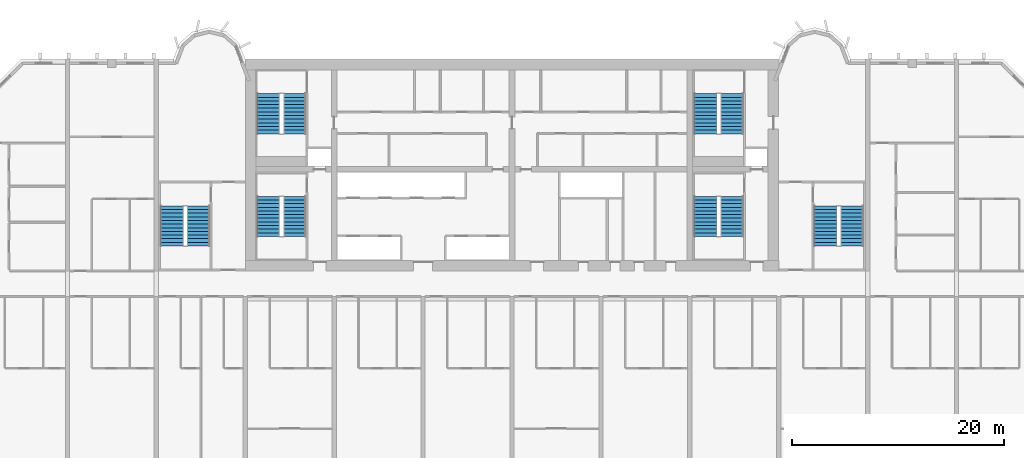
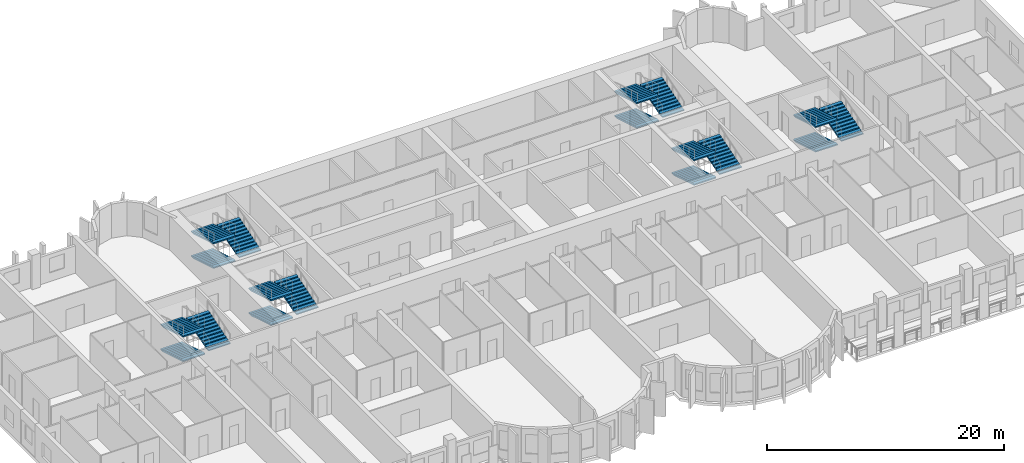
# One storey, part 12 of 15: 18 stair flights, 6 elements without a shape of their own.
"""IFC4 building model written with IfcOpenShell, lengths in metres."""

from ifc_helpers import new_model, si_unit, direction, frame, origin, place, context, subcontext, project, spatial, polyline, outline, extrude, source, transform, mapped, material, type_object, element, aggregate, save


model = new_model("IFC4")

# Units and contexts
model_context = context("Model", 3, precision=1e-05, world=origin(), true_north=direction((0.0, 1.0)))
body_context = subcontext(model_context, "Body", "Model", "MODEL_VIEW")
ifc_project = project(units=[si_unit("LENGTHUNIT", "METRE"), si_unit("AREAUNIT", "SQUARE_METRE"), si_unit("VOLUMEUNIT", "CUBIC_METRE"), si_unit("PLANEANGLEUNIT", "RADIAN"), si_unit("MASSUNIT", "GRAM", prefix="KILO")], contexts=[model_context])

# Site, building, storey
site_placement = place(None, origin())
site = spatial("IfcSite", under=ifc_project, at=site_placement, CompositionType="ELEMENT")
building_placement = place(site_placement, origin())
building = spatial("IfcBuilding", under=site, at=building_placement, Name="Vanashikhar Sky Hotel", CompositionType="ELEMENT")
storey_placement = place(building_placement, frame((0.0, 0.0, 62.0)))
storey = spatial("IfcBuildingStorey", under=building, at=storey_placement, Name="L14", CompositionType="ELEMENT", Elevation=62.0)

# Stair, stair flights
ifc_material = material(Name="Concrete M40", Category="concrete")
stair_type = type_object("IfcStairType", Name="Exit stair 2150", PredefinedType="DOUBLE_RETURN_STAIR", material=ifc_material)
stair_1_placement = place(storey_placement, origin())
stair_1 = element("IfcStair", 1, at=stair_1_placement, inside=storey, type_object=stair_type, Name="L14 Exit stair 1", PredefinedType="DOUBLE_RETURN_STAIR")
stair_flight_type = type_object("IfcStairFlightType", Name="Stair flight 2150", PredefinedType="STRAIGHT", material=ifc_material)
shared_shape = source(origin(), body_context, "Body", "SweptSolid", [
    extrude(outline(polyline([(0.0, 0.0), (0.0, 0.10546875), (0.345458984375, 0.10546875), (0.345458984375, 0.211181640625), (0.69091796875, 0.211181640625), (0.69091796875, 0.316650390625), (1.036376953125, 0.316650390625), (1.036376953125, 0.422119140625), (1.3818359375, 0.422119140625), (1.3818359375, 0.52783203125), (1.727294921875, 0.52783203125), (1.727294921875, 0.63330078125), (2.07275390625, 0.63330078125), (2.07275390625, 0.73876953125), (2.418212890625, 0.73876953125), (2.418212890625, 0.844482421875), (2.763671875, 0.844482421875), (2.763671875, 0.949951171875), (3.109130859375, 0.949951171875), (3.109130859375, 1.0556640625), (3.45458984375, 1.0556640625), (3.45458984375, 1.1611328125), (3.800048828125, 1.1611328125), (3.800048828125, 1.2666015625), (3.800048828125, 1.035400390625), (0.4111328125, 0.0), (0.0, 0.0)])), frame((0.0, 1.074951171875, 0.0), z_axis=(0.0, -1.0, 0.0), x_axis=(1.0, 0.0, 0.0)), (0.0, 0.0, 1.0), 2.14990234375),
])
stair_flight_1_placement = place(storey_placement, frame((27.375, 29.050048828125, 0.0), z_axis=(0.0, 0.0, 1.0), x_axis=(0.0, -1.0, 0.0)))
stair_flight_1 = element("IfcStairFlight", 2, at=stair_flight_1_placement, type_object=stair_flight_type, Name="ST-C1 flight 1", NumberOfRisers=12, NumberOfTreads=11, PredefinedType="STRAIGHT", RiserHeight=0.105555556, TreadLength=0.345454545, context=body_context, shape_type="MappedRepresentation", body=[
    mapped(shared_shape, transform((0.0, 0.0, 0.0), scale=1.0)),
])
stair_flight_2_placement = place(storey_placement, frame((29.875, 25.25, 1.2666015625), z_axis=(0.0, 0.0, 1.0), x_axis=(0.0, 1.0, 0.0)))
stair_flight_2 = element("IfcStairFlight", 3, at=stair_flight_2_placement, type_object=stair_flight_type, Name="ST-C1 flight 2", NumberOfRisers=12, NumberOfTreads=11, PredefinedType="STRAIGHT", RiserHeight=0.105555556, TreadLength=0.345454545, context=body_context, shape_type="MappedRepresentation", body=[
    mapped(shared_shape, transform((0.0, 0.0, 0.0), scale=1.0)),
])
stair_flight_3_placement = place(storey_placement, frame((27.375, 29.050048828125, 2.533447265625), z_axis=(0.0, 0.0, 1.0), x_axis=(0.0, -1.0, 0.0)))
stair_flight_3 = element("IfcStairFlight", 4, at=stair_flight_3_placement, type_object=stair_flight_type, Name="ST-C1 flight 3", NumberOfRisers=12, NumberOfTreads=11, PredefinedType="STRAIGHT", RiserHeight=0.105555556, TreadLength=0.345454545, context=body_context, shape_type="MappedRepresentation", body=[
    mapped(shared_shape, transform((0.0, 0.0, 0.0), scale=1.0)),
])
aggregate(stair_1, [stair_flight_1, stair_flight_2, stair_flight_3])

stair_2_placement = place(storey_placement, origin())
stair_2 = element("IfcStair", 5, at=stair_2_placement, inside=storey, type_object=stair_type, Name="L14 Exit stair 2", PredefinedType="DOUBLE_RETURN_STAIR")
stair_flight_4_placement = place(storey_placement, frame((68.675048828125, 29.050048828125, 0.0), z_axis=(0.0, 0.0, 1.0), x_axis=(0.0, -1.0, 0.0)))
stair_flight_4 = element("IfcStairFlight", 6, at=stair_flight_4_placement, type_object=stair_flight_type, Name="ST-C2 flight 1", NumberOfRisers=12, NumberOfTreads=11, PredefinedType="STRAIGHT", RiserHeight=0.105555556, TreadLength=0.345454545, context=body_context, shape_type="MappedRepresentation", body=[
    mapped(shared_shape, transform((0.0, 0.0, 0.0), scale=1.0)),
])
stair_flight_5_placement = place(storey_placement, frame((71.175048828125, 25.25, 1.2666015625), z_axis=(0.0, 0.0, 1.0), x_axis=(0.0, 1.0, 0.0)))
stair_flight_5 = element("IfcStairFlight", 7, at=stair_flight_5_placement, type_object=stair_flight_type, Name="ST-C2 flight 2", NumberOfRisers=12, NumberOfTreads=11, PredefinedType="STRAIGHT", RiserHeight=0.105555556, TreadLength=0.345454545, context=body_context, shape_type="MappedRepresentation", body=[
    mapped(shared_shape, transform((0.0, 0.0, 0.0), scale=1.0)),
])
stair_flight_6_placement = place(storey_placement, frame((68.675048828125, 29.050048828125, 2.533447265625), z_axis=(0.0, 0.0, 1.0), x_axis=(0.0, -1.0, 0.0)))
stair_flight_6 = element("IfcStairFlight", 8, at=stair_flight_6_placement, type_object=stair_flight_type, Name="ST-C2 flight 3", NumberOfRisers=12, NumberOfTreads=11, PredefinedType="STRAIGHT", RiserHeight=0.105555556, TreadLength=0.345454545, context=body_context, shape_type="MappedRepresentation", body=[
    mapped(shared_shape, transform((0.0, 0.0, 0.0), scale=1.0)),
])
aggregate(stair_2, [stair_flight_4, stair_flight_5, stair_flight_6])

stair_3_placement = place(storey_placement, origin())
stair_3 = element("IfcStair", 9, at=stair_3_placement, inside=storey, type_object=stair_type, Name="L14 Exit stair 3", PredefinedType="DOUBLE_RETURN_STAIR")
stair_flight_7_placement = place(storey_placement, frame((18.27490234375, 28.14990234375, 0.0), z_axis=(0.0, 0.0, 1.0), x_axis=(0.0, -1.0, 0.0)))
stair_flight_7 = element("IfcStairFlight", 10, at=stair_flight_7_placement, type_object=stair_flight_type, Name="ST-W flight 1", NumberOfRisers=12, NumberOfTreads=11, PredefinedType="STRAIGHT", RiserHeight=0.105555556, TreadLength=0.345454545, context=body_context, shape_type="MappedRepresentation", body=[
    mapped(shared_shape, transform((0.0, 0.0, 0.0), scale=1.0)),
])
stair_flight_8_placement = place(storey_placement, frame((20.77490234375, 24.35009765625, 1.2666015625), z_axis=(0.0, 0.0, 1.0), x_axis=(0.0, 1.0, 0.0)))
stair_flight_8 = element("IfcStairFlight", 11, at=stair_flight_8_placement, type_object=stair_flight_type, Name="ST-W flight 2", NumberOfRisers=12, NumberOfTreads=11, PredefinedType="STRAIGHT", RiserHeight=0.105555556, TreadLength=0.345454545, context=body_context, shape_type="MappedRepresentation", body=[
    mapped(shared_shape, transform((0.0, 0.0, 0.0), scale=1.0)),
])
stair_flight_9_placement = place(storey_placement, frame((18.27490234375, 28.14990234375, 2.533447265625), z_axis=(0.0, 0.0, 1.0), x_axis=(0.0, -1.0, 0.0)))
stair_flight_9 = element("IfcStairFlight", 12, at=stair_flight_9_placement, type_object=stair_flight_type, Name="ST-W flight 3", NumberOfRisers=12, NumberOfTreads=11, PredefinedType="STRAIGHT", RiserHeight=0.105555556, TreadLength=0.345454545, context=body_context, shape_type="MappedRepresentation", body=[
    mapped(shared_shape, transform((0.0, 0.0, 0.0), scale=1.0)),
])
aggregate(stair_3, [stair_flight_7, stair_flight_8, stair_flight_9])

stair_4_placement = place(storey_placement, origin())
stair_4 = element("IfcStair", 13, at=stair_4_placement, inside=storey, type_object=stair_type, Name="L14 Exit stair 4", PredefinedType="DOUBLE_RETURN_STAIR")
stair_flight_10_placement = place(storey_placement, frame((80.02490234375, 28.14990234375, 0.0), z_axis=(0.0, 0.0, 1.0), x_axis=(0.0, -1.0, 0.0)))
stair_flight_10 = element("IfcStairFlight", 14, at=stair_flight_10_placement, type_object=stair_flight_type, Name="ST-E flight 1", NumberOfRisers=12, NumberOfTreads=11, PredefinedType="STRAIGHT", RiserHeight=0.105555556, TreadLength=0.345454545, context=body_context, shape_type="MappedRepresentation", body=[
    mapped(shared_shape, transform((0.0, 0.0, 0.0), scale=1.0)),
])
stair_flight_11_placement = place(storey_placement, frame((82.52490234375, 24.35009765625, 1.2666015625), z_axis=(0.0, 0.0, 1.0), x_axis=(0.0, 1.0, 0.0)))
stair_flight_11 = element("IfcStairFlight", 15, at=stair_flight_11_placement, type_object=stair_flight_type, Name="ST-E flight 2", NumberOfRisers=12, NumberOfTreads=11, PredefinedType="STRAIGHT", RiserHeight=0.105555556, TreadLength=0.345454545, context=body_context, shape_type="MappedRepresentation", body=[
    mapped(shared_shape, transform((0.0, 0.0, 0.0), scale=1.0)),
])
stair_flight_12_placement = place(storey_placement, frame((80.02490234375, 28.14990234375, 2.533447265625), z_axis=(0.0, 0.0, 1.0), x_axis=(0.0, -1.0, 0.0)))
stair_flight_12 = element("IfcStairFlight", 16, at=stair_flight_12_placement, type_object=stair_flight_type, Name="ST-E flight 3", NumberOfRisers=12, NumberOfTreads=11, PredefinedType="STRAIGHT", RiserHeight=0.105555556, TreadLength=0.345454545, context=body_context, shape_type="MappedRepresentation", body=[
    mapped(shared_shape, transform((0.0, 0.0, 0.0), scale=1.0)),
])
aggregate(stair_4, [stair_flight_10, stair_flight_11, stair_flight_12])

stair_5_placement = place(storey_placement, origin())
stair_5 = element("IfcStair", 17, at=stair_5_placement, inside=storey, type_object=stair_type, Name="L14 Exit stair 5", PredefinedType="DOUBLE_RETURN_STAIR")
stair_flight_13_placement = place(storey_placement, frame((27.375, 38.75, 0.0), z_axis=(0.0, 0.0, 1.0), x_axis=(0.0, -1.0, 0.0)))
stair_flight_13 = element("IfcStairFlight", 18, at=stair_flight_13_placement, type_object=stair_flight_type, Name="ST-C3 flight 1", NumberOfRisers=12, NumberOfTreads=11, PredefinedType="STRAIGHT", RiserHeight=0.105555556, TreadLength=0.345454545, context=body_context, shape_type="MappedRepresentation", body=[
    mapped(shared_shape, transform((0.0, 0.0, 0.0), scale=1.0)),
])
stair_flight_14_placement = place(storey_placement, frame((29.875, 34.949951171875, 1.2666015625), z_axis=(0.0, 0.0, 1.0), x_axis=(0.0, 1.0, 0.0)))
stair_flight_14 = element("IfcStairFlight", 19, at=stair_flight_14_placement, type_object=stair_flight_type, Name="ST-C3 flight 2", NumberOfRisers=12, NumberOfTreads=11, PredefinedType="STRAIGHT", RiserHeight=0.105555556, TreadLength=0.345454545, context=body_context, shape_type="MappedRepresentation", body=[
    mapped(shared_shape, transform((0.0, 0.0, 0.0), scale=1.0)),
])
stair_flight_15_placement = place(storey_placement, frame((27.375, 38.75, 2.533447265625), z_axis=(0.0, 0.0, 1.0), x_axis=(0.0, -1.0, 0.0)))
stair_flight_15 = element("IfcStairFlight", 20, at=stair_flight_15_placement, type_object=stair_flight_type, Name="ST-C3 flight 3", NumberOfRisers=12, NumberOfTreads=11, PredefinedType="STRAIGHT", RiserHeight=0.105555556, TreadLength=0.345454545, context=body_context, shape_type="MappedRepresentation", body=[
    mapped(shared_shape, transform((0.0, 0.0, 0.0), scale=1.0)),
])
aggregate(stair_5, [stair_flight_13, stair_flight_14, stair_flight_15])

stair_6_placement = place(storey_placement, origin())
stair_6 = element("IfcStair", 21, at=stair_6_placement, inside=storey, type_object=stair_type, Name="L14 Exit stair 6", PredefinedType="DOUBLE_RETURN_STAIR")
stair_flight_16_placement = place(storey_placement, frame((68.675048828125, 38.75, 0.0), z_axis=(0.0, 0.0, 1.0), x_axis=(0.0, -1.0, 0.0)))
stair_flight_16 = element("IfcStairFlight", 22, at=stair_flight_16_placement, type_object=stair_flight_type, Name="ST-C4 flight 1", NumberOfRisers=12, NumberOfTreads=11, PredefinedType="STRAIGHT", RiserHeight=0.105555556, TreadLength=0.345454545, context=body_context, shape_type="MappedRepresentation", body=[
    mapped(shared_shape, transform((0.0, 0.0, 0.0), scale=1.0)),
])
stair_flight_17_placement = place(storey_placement, frame((71.175048828125, 34.949951171875, 1.2666015625), z_axis=(0.0, 0.0, 1.0), x_axis=(0.0, 1.0, 0.0)))
stair_flight_17 = element("IfcStairFlight", 23, at=stair_flight_17_placement, type_object=stair_flight_type, Name="ST-C4 flight 2", NumberOfRisers=12, NumberOfTreads=11, PredefinedType="STRAIGHT", RiserHeight=0.105555556, TreadLength=0.345454545, context=body_context, shape_type="MappedRepresentation", body=[
    mapped(shared_shape, transform((0.0, 0.0, 0.0), scale=1.0)),
])
stair_flight_18_placement = place(storey_placement, frame((68.675048828125, 38.75, 2.533447265625), z_axis=(0.0, 0.0, 1.0), x_axis=(0.0, -1.0, 0.0)))
stair_flight_18 = element("IfcStairFlight", 24, at=stair_flight_18_placement, type_object=stair_flight_type, Name="ST-C4 flight 3", NumberOfRisers=12, NumberOfTreads=11, PredefinedType="STRAIGHT", RiserHeight=0.105555556, TreadLength=0.345454545, context=body_context, shape_type="MappedRepresentation", body=[
    mapped(shared_shape, transform((0.0, 0.0, 0.0), scale=1.0)),
])
aggregate(stair_6, [stair_flight_16, stair_flight_17, stair_flight_18])

save(model, "model.ifc")
